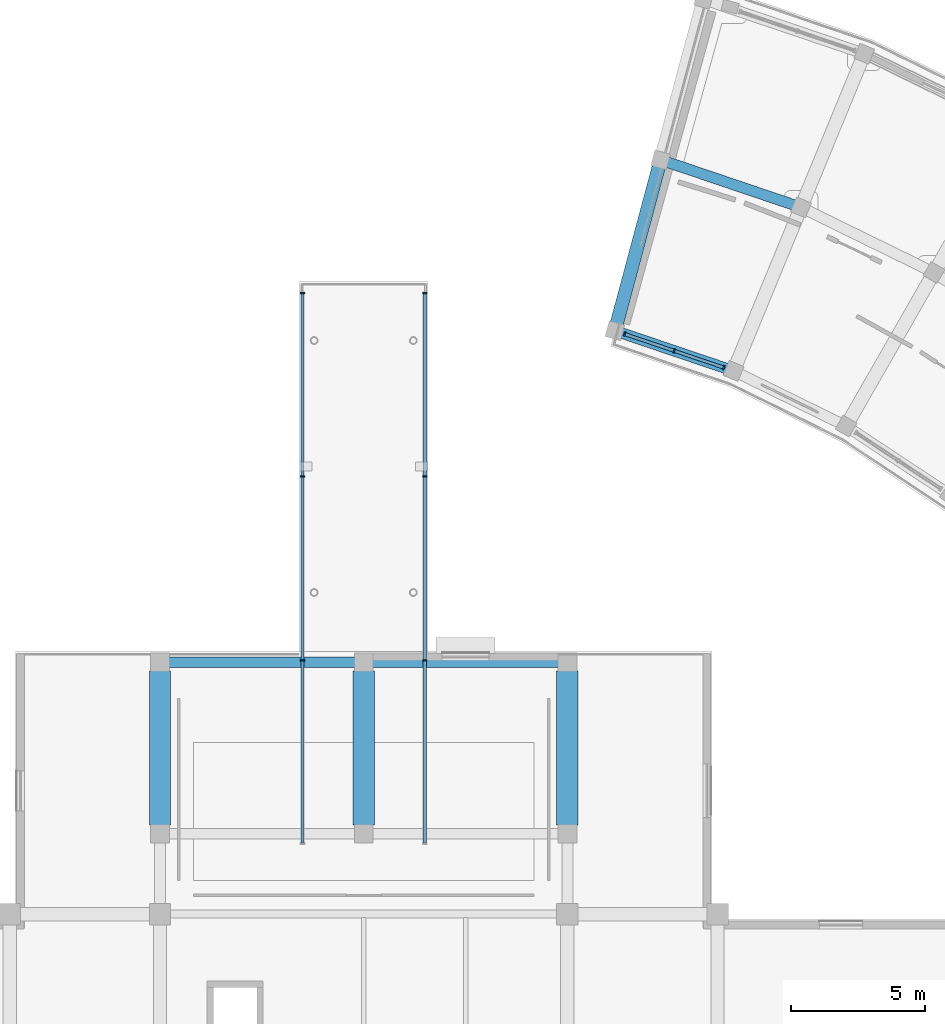
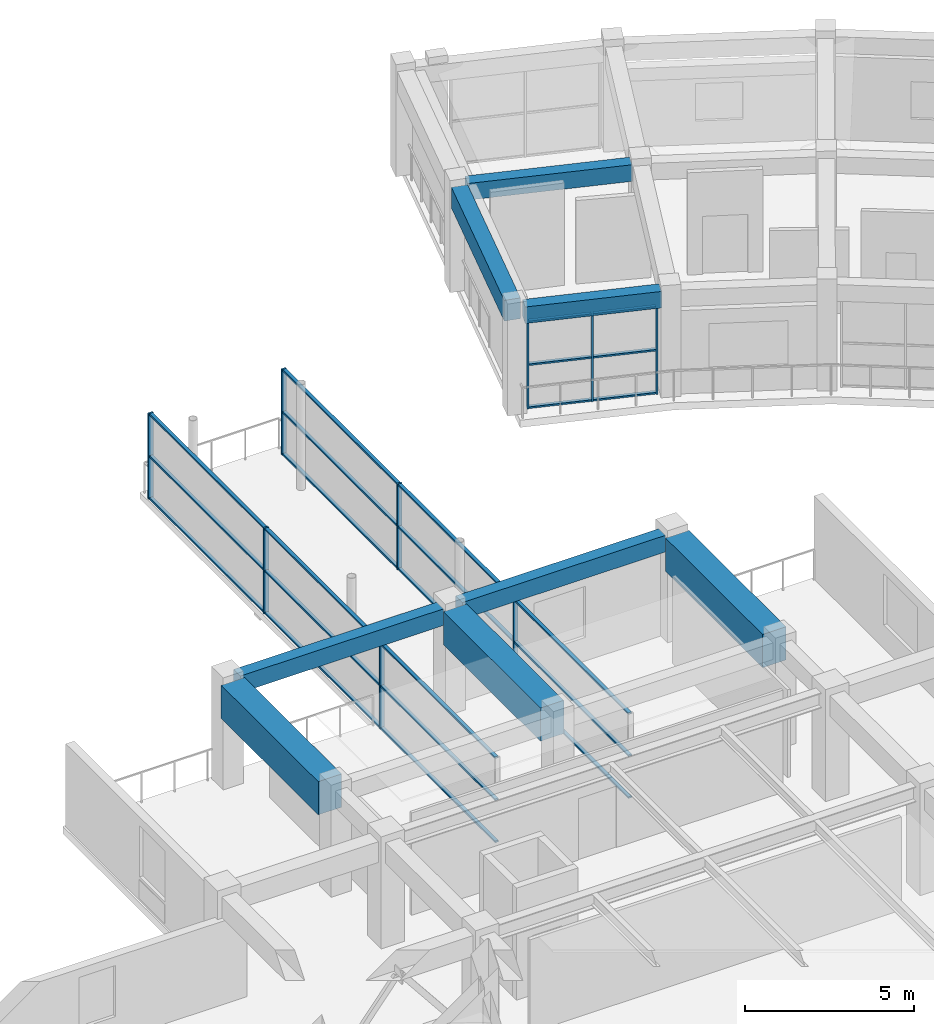
# One storey, part 31 of 70: 33 members, 8 beams, 3 elements without a shape of their own.
"""IFC4 building model written with IfcOpenShell, lengths in metres."""

from ifc_helpers import new_model, si_unit, direction, frame, origin, origin_2d, place, context, subcontext, project, spatial, rectangle, extrude, material, material_profile, profile_set, type_object, element, aggregate, save


model = new_model("IFC4")

# Units and contexts
model_context = context("Model", 3, precision=1e-05, world=origin(), true_north=direction((0.0, 1.0)))
body_context = subcontext(model_context, "Body", "Model", "MODEL_VIEW")
ifc_project = project(units=[si_unit("LENGTHUNIT", "METRE"), si_unit("AREAUNIT", "SQUARE_METRE"), si_unit("VOLUMEUNIT", "CUBIC_METRE"), si_unit("PLANEANGLEUNIT", "RADIAN"), si_unit("MASSUNIT", "GRAM", prefix="KILO")], contexts=[model_context])

# Site, building, storey
site_placement = place(None, origin())
site = spatial("IfcSite", under=ifc_project, at=site_placement, CompositionType="ELEMENT")
building_placement = place(site_placement, origin())
building = spatial("IfcBuilding", under=site, at=building_placement, Name="Saryqyr Civic Hall", CompositionType="ELEMENT")
storey_placement = place(building_placement, frame((0.0, 0.0, 13.199951171875)))
storey = spatial("IfcBuildingStorey", under=building, at=storey_placement, Name="L03", CompositionType="ELEMENT", Elevation=13.199951171875)

# Curtain wall, members
ifc_material_1 = material(Name="Anodised aluminium and triple low-E glass", Category="aluminium")
curtain_wall_type_1 = type_object("IfcCurtainWallType", Name="ENV-CW-STD-21", PredefinedType="NOTDEFINED", material=ifc_material_1)
curtain_wall_1_placement = place(storey_placement, origin())
curtain_wall_1 = element("IfcCurtainWall", 1, at=curtain_wall_1_placement, inside=storey, type_object=curtain_wall_type_1, Name="Curtain wall V6-CWI-L03-09", PredefinedType="NOTDEFINED")
ifc_material_2 = material(Name="Anodised aluminium", Category="aluminium")
ifc_material_profile_1 = material_profile(ifc_material_2, rectangle(XDim=0.06005859375, YDim=0.159912109375, at=origin_2d()), Name="ALU MULLION 60x160")
ifc_profile_set_1 = profile_set([ifc_material_profile_1], Name="Anodised aluminium")
member_type_1 = type_object("IfcMemberType", Name="ENV-CW-MUL-180", PredefinedType="MULLION", material=ifc_profile_set_1)
member_1_placement = place(storey_placement, frame((70.42919921875, 117.592041015625, 0.0), z_axis=(0.0, 0.0, 1.0), x_axis=(-0.947202392558, 0.320636285428, 0.0)))
member_1 = element("IfcMember", 2, at=member_1_placement, type_object=member_type_1, Name="CW-21 mullion 1", PredefinedType="MULLION", context=body_context, shape_type="SweptSolid", body=[
    extrude(rectangle(XDim=0.06005859375, YDim=0.159912109375, at=origin_2d()), origin(), (0.0, 0.0, 1.0), 3.1650390625),
])
member_2_placement = place(storey_placement, frame((68.58349609375, 118.217041015625, 0.0), z_axis=(0.0, 0.0, 1.0), x_axis=(-0.947202392558, 0.320636285428, 0.0)))
member_2 = element("IfcMember", 3, at=member_2_placement, type_object=member_type_1, Name="CW-21 mullion 2", PredefinedType="MULLION", context=body_context, shape_type="SweptSolid", body=[
    extrude(rectangle(XDim=0.06005859375, YDim=0.159912109375, at=origin_2d()), origin(), (0.0, 0.0, 1.0), 3.1650390625),
])
member_3_placement = place(storey_placement, frame((66.737548828125, 118.841796875, 0.0), z_axis=(0.0, 0.0, 1.0), x_axis=(-0.947202392558, 0.320636285428, 0.0)))
member_3 = element("IfcMember", 4, at=member_3_placement, type_object=member_type_1, Name="CW-21 mullion 3", PredefinedType="MULLION", context=body_context, shape_type="SweptSolid", body=[
    extrude(rectangle(XDim=0.06005859375, YDim=0.159912109375, at=origin_2d()), origin(), (0.0, 0.0, 1.0), 3.1650390625),
])

curtain_wall_type_2 = type_object("IfcCurtainWallType", Name="ENV-CW-STD-88", PredefinedType="NOTDEFINED", material=ifc_material_1)
curtain_wall_2_placement = place(storey_placement, origin())
curtain_wall_2 = element("IfcCurtainWall", 5, at=curtain_wall_2_placement, inside=storey, type_object=curtain_wall_type_2, Name="Curtain wall BR-CN-CW1-L03", PredefinedType="NOTDEFINED")
member_4_placement = place(storey_placement, frame((54.719970703125, 106.666748046875, 0.0), z_axis=(0.0, 0.0, 1.0), x_axis=(0.0, 1.0, 0.0)))
member_4 = element("IfcMember", 6, at=member_4_placement, type_object=member_type_1, Name="CW-88 mullion 2", PredefinedType="MULLION", context=body_context, shape_type="SweptSolid", body=[
    extrude(rectangle(XDim=0.06005859375, YDim=0.159912109375, at=origin_2d()), origin(), (0.0, 0.0, 1.0), 3.10009765625),
])
member_5_placement = place(storey_placement, frame((54.719970703125, 113.533447265625, 0.0), z_axis=(0.0, 0.0, 1.0), x_axis=(0.0, 1.0, 0.0)))
member_5 = element("IfcMember", 7, at=member_5_placement, type_object=member_type_1, Name="CW-88 mullion 3", PredefinedType="MULLION", context=body_context, shape_type="SweptSolid", body=[
    extrude(rectangle(XDim=0.06005859375, YDim=0.159912109375, at=origin_2d()), origin(), (0.0, 0.0, 1.0), 3.10009765625),
])
member_6_placement = place(storey_placement, frame((54.719970703125, 120.3701171875, 0.0), z_axis=(0.0, 0.0, 1.0), x_axis=(0.0, 1.0, 0.0)))
member_6 = element("IfcMember", 8, at=member_6_placement, type_object=member_type_1, Name="CW-88 mullion 4", PredefinedType="MULLION", context=body_context, shape_type="SweptSolid", body=[
    extrude(rectangle(XDim=0.06005859375, YDim=0.159912109375, at=origin_2d()), origin(), (0.0, 0.0, 1.0), 3.10009765625),
])

curtain_wall_3_placement = place(storey_placement, origin())
curtain_wall_3 = element("IfcCurtainWall", 9, at=curtain_wall_3_placement, inside=storey, type_object=curtain_wall_type_2, Name="Curtain wall BR-CN-CW2-L03", PredefinedType="NOTDEFINED")
member_7_placement = place(storey_placement, frame((59.280029296875, 120.3701171875, 0.0), z_axis=(0.0, 0.0, 1.0), x_axis=(0.0, -1.0, 0.0)))
member_7 = element("IfcMember", 10, at=member_7_placement, type_object=member_type_1, Name="CW-88 mullion 1", PredefinedType="MULLION", context=body_context, shape_type="SweptSolid", body=[
    extrude(rectangle(XDim=0.06005859375, YDim=0.159912109375, at=origin_2d()), origin(), (0.0, 0.0, 1.0), 3.10009765625),
])
member_8_placement = place(storey_placement, frame((59.280029296875, 113.533447265625, 0.0), z_axis=(0.0, 0.0, 1.0), x_axis=(0.0, -1.0, 0.0)))
member_8 = element("IfcMember", 11, at=member_8_placement, type_object=member_type_1, Name="CW-88 mullion 2", PredefinedType="MULLION", context=body_context, shape_type="SweptSolid", body=[
    extrude(rectangle(XDim=0.06005859375, YDim=0.159912109375, at=origin_2d()), origin(), (0.0, 0.0, 1.0), 3.10009765625),
])
member_9_placement = place(storey_placement, frame((59.280029296875, 106.666748046875, 0.0), z_axis=(0.0, 0.0, 1.0), x_axis=(0.0, -1.0, 0.0)))
member_9 = element("IfcMember", 12, at=member_9_placement, type_object=member_type_1, Name="CW-88 mullion 3", PredefinedType="MULLION", context=body_context, shape_type="SweptSolid", body=[
    extrude(rectangle(XDim=0.06005859375, YDim=0.159912109375, at=origin_2d()), origin(), (0.0, 0.0, 1.0), 3.10009765625),
])

# Member
ifc_material_profile_2 = material_profile(ifc_material_2, rectangle(XDim=0.1201171875, YDim=0.06005859375, at=origin_2d()), Name="ALU TRANSOM 120x60")
ifc_profile_set_2 = profile_set([ifc_material_profile_2], Name="Anodised aluminium")
member_type_2 = type_object("IfcMemberType", Name="ENV-CW-TRN-150", PredefinedType="USERDEFINED", material=ifc_profile_set_2)
member_10_placement = place(storey_placement, frame((70.40087890625, 117.601806640625, 0.030029296875), z_axis=(-0.947225631474, 0.320567626372, 0.0), x_axis=(-0.320567626372, -0.947225631474, 0.0)))
member_10 = element("IfcMember", 13, at=member_10_placement, type_object=member_type_2, Name="CW-21 transom 1.1", ObjectType="TRANSOM", PredefinedType="USERDEFINED", context=body_context, shape_type="SweptSolid", body=[
    extrude(rectangle(XDim=0.1201171875, YDim=0.06005859375, at=origin_2d()), origin(), (0.0, 0.0, 1.0), 1.888671875),
])

member_11_placement = place(storey_placement, frame((70.40087890625, 117.601806640625, 1.58203125), z_axis=(-0.947225631474, 0.320567626372, 0.0), x_axis=(-0.320567626372, -0.947225631474, 0.0)))
member_11 = element("IfcMember", 14, at=member_11_placement, type_object=member_type_2, Name="CW-21 transom 1.2", ObjectType="TRANSOM", PredefinedType="USERDEFINED", context=body_context, shape_type="SweptSolid", body=[
    extrude(rectangle(XDim=0.1201171875, YDim=0.06005859375, at=origin_2d()), origin(), (0.0, 0.0, 1.0), 1.888671875),
])

member_12_placement = place(storey_placement, frame((70.40087890625, 117.601806640625, 3.135009765625), z_axis=(-0.947225631474, 0.320567626372, 0.0), x_axis=(-0.320567626372, -0.947225631474, 0.0)))
member_12 = element("IfcMember", 15, at=member_12_placement, type_object=member_type_2, Name="CW-21 transom 1.3", ObjectType="TRANSOM", PredefinedType="USERDEFINED", context=body_context, shape_type="SweptSolid", body=[
    extrude(rectangle(XDim=0.1201171875, YDim=0.06005859375, at=origin_2d()), origin(), (0.0, 0.0, 1.0), 1.888671875),
])

member_13_placement = place(storey_placement, frame((68.554931640625, 118.2265625, 0.030029296875), z_axis=(-0.947173081029, 0.320722862568, 0.0), x_axis=(-0.320722862568, -0.947173081029, 0.0)))
member_13 = element("IfcMember", 16, at=member_13_placement, type_object=member_type_2, Name="CW-21 transom 2.1", ObjectType="TRANSOM", PredefinedType="USERDEFINED", context=body_context, shape_type="SweptSolid", body=[
    extrude(rectangle(XDim=0.1201171875, YDim=0.06005859375, at=origin_2d()), origin(), (0.0, 0.0, 1.0), 1.888671875),
])

member_14_placement = place(storey_placement, frame((68.554931640625, 118.2265625, 1.58203125), z_axis=(-0.947173081029, 0.320722862568, 0.0), x_axis=(-0.320722862568, -0.947173081029, 0.0)))
member_14 = element("IfcMember", 17, at=member_14_placement, type_object=member_type_2, Name="CW-21 transom 2.2", ObjectType="TRANSOM", PredefinedType="USERDEFINED", context=body_context, shape_type="SweptSolid", body=[
    extrude(rectangle(XDim=0.1201171875, YDim=0.06005859375, at=origin_2d()), origin(), (0.0, 0.0, 1.0), 1.888671875),
])

member_15_placement = place(storey_placement, frame((68.554931640625, 118.2265625, 3.135009765625), z_axis=(-0.947173081029, 0.320722862568, 0.0), x_axis=(-0.320722862568, -0.947173081029, 0.0)))
member_15 = element("IfcMember", 18, at=member_15_placement, type_object=member_type_2, Name="CW-21 transom 2.3", ObjectType="TRANSOM", PredefinedType="USERDEFINED", context=body_context, shape_type="SweptSolid", body=[
    extrude(rectangle(XDim=0.1201171875, YDim=0.06005859375, at=origin_2d()), origin(), (0.0, 0.0, 1.0), 1.888671875),
])

aggregate(curtain_wall_1, [member_1, member_2, member_3, member_10, member_11, member_12, member_13, member_14, member_15])

member_16_placement = place(storey_placement, frame((54.719970703125, 99.860107421875, 0.030029296875), z_axis=(0.0, 1.0, 0.0), x_axis=(-1.0, 0.0, 0.0)))
member_16 = element("IfcMember", 19, at=member_16_placement, type_object=member_type_2, Name="CW-88 transom 1.1", ObjectType="TRANSOM", PredefinedType="USERDEFINED", context=body_context, shape_type="SweptSolid", body=[
    extrude(rectangle(XDim=0.1201171875, YDim=0.06005859375, at=origin_2d()), origin(), (0.0, 0.0, 1.0), 6.776611328125),
])

member_17_placement = place(storey_placement, frame((54.719970703125, 99.860107421875, 1.550048828125), z_axis=(0.0, 1.0, 0.0), x_axis=(-1.0, 0.0, 0.0)))
member_17 = element("IfcMember", 20, at=member_17_placement, type_object=member_type_2, Name="CW-88 transom 1.2", ObjectType="TRANSOM", PredefinedType="USERDEFINED", context=body_context, shape_type="SweptSolid", body=[
    extrude(rectangle(XDim=0.1201171875, YDim=0.06005859375, at=origin_2d()), origin(), (0.0, 0.0, 1.0), 6.776611328125),
])

member_18_placement = place(storey_placement, frame((54.719970703125, 99.860107421875, 3.070068359375), z_axis=(0.0, 1.0, 0.0), x_axis=(-1.0, 0.0, 0.0)))
member_18 = element("IfcMember", 21, at=member_18_placement, type_object=member_type_2, Name="CW-88 transom 1.3", ObjectType="TRANSOM", PredefinedType="USERDEFINED", context=body_context, shape_type="SweptSolid", body=[
    extrude(rectangle(XDim=0.1201171875, YDim=0.06005859375, at=origin_2d()), origin(), (0.0, 0.0, 1.0), 6.776611328125),
])

member_19_placement = place(storey_placement, frame((54.719970703125, 106.69677734375, 0.030029296875), z_axis=(0.0, 1.0, 0.0), x_axis=(-1.0, 0.0, 0.0)))
member_19 = element("IfcMember", 22, at=member_19_placement, type_object=member_type_2, Name="CW-88 transom 2.1", ObjectType="TRANSOM", PredefinedType="USERDEFINED", context=body_context, shape_type="SweptSolid", body=[
    extrude(rectangle(XDim=0.1201171875, YDim=0.06005859375, at=origin_2d()), origin(), (0.0, 0.0, 1.0), 6.806640625),
])

member_20_placement = place(storey_placement, frame((54.719970703125, 106.69677734375, 1.550048828125), z_axis=(0.0, 1.0, 0.0), x_axis=(-1.0, 0.0, 0.0)))
member_20 = element("IfcMember", 23, at=member_20_placement, type_object=member_type_2, Name="CW-88 transom 2.2", ObjectType="TRANSOM", PredefinedType="USERDEFINED", context=body_context, shape_type="SweptSolid", body=[
    extrude(rectangle(XDim=0.1201171875, YDim=0.06005859375, at=origin_2d()), origin(), (0.0, 0.0, 1.0), 6.806640625),
])

member_21_placement = place(storey_placement, frame((54.719970703125, 106.69677734375, 3.070068359375), z_axis=(0.0, 1.0, 0.0), x_axis=(-1.0, 0.0, 0.0)))
member_21 = element("IfcMember", 24, at=member_21_placement, type_object=member_type_2, Name="CW-88 transom 2.3", ObjectType="TRANSOM", PredefinedType="USERDEFINED", context=body_context, shape_type="SweptSolid", body=[
    extrude(rectangle(XDim=0.1201171875, YDim=0.06005859375, at=origin_2d()), origin(), (0.0, 0.0, 1.0), 6.806640625),
])

member_22_placement = place(storey_placement, frame((54.719970703125, 113.563232421875, 0.030029296875), z_axis=(0.0, 1.0, 0.0), x_axis=(-1.0, 0.0, 0.0)))
member_22 = element("IfcMember", 25, at=member_22_placement, type_object=member_type_2, Name="CW-88 transom 3.1", ObjectType="TRANSOM", PredefinedType="USERDEFINED", context=body_context, shape_type="SweptSolid", body=[
    extrude(rectangle(XDim=0.1201171875, YDim=0.06005859375, at=origin_2d()), origin(), (0.0, 0.0, 1.0), 6.77685546875),
])

member_23_placement = place(storey_placement, frame((54.719970703125, 113.563232421875, 1.550048828125), z_axis=(0.0, 1.0, 0.0), x_axis=(-1.0, 0.0, 0.0)))
member_23 = element("IfcMember", 26, at=member_23_placement, type_object=member_type_2, Name="CW-88 transom 3.2", ObjectType="TRANSOM", PredefinedType="USERDEFINED", context=body_context, shape_type="SweptSolid", body=[
    extrude(rectangle(XDim=0.1201171875, YDim=0.06005859375, at=origin_2d()), origin(), (0.0, 0.0, 1.0), 6.77685546875),
])

member_24_placement = place(storey_placement, frame((54.719970703125, 113.563232421875, 3.070068359375), z_axis=(0.0, 1.0, 0.0), x_axis=(-1.0, 0.0, 0.0)))
member_24 = element("IfcMember", 27, at=member_24_placement, type_object=member_type_2, Name="CW-88 transom 3.3", ObjectType="TRANSOM", PredefinedType="USERDEFINED", context=body_context, shape_type="SweptSolid", body=[
    extrude(rectangle(XDim=0.1201171875, YDim=0.06005859375, at=origin_2d()), origin(), (0.0, 0.0, 1.0), 6.77685546875),
])

aggregate(curtain_wall_2, [member_4, member_5, member_6, member_16, member_17, member_18, member_19, member_20, member_21, member_22, member_23, member_24])

member_25_placement = place(storey_placement, frame((59.280029296875, 120.340087890625, 0.030029296875), z_axis=(0.0, -1.0, 0.0), x_axis=(1.0, 0.0, 0.0)))
member_25 = element("IfcMember", 28, at=member_25_placement, type_object=member_type_2, Name="CW-88 transom 1.1", ObjectType="TRANSOM", PredefinedType="USERDEFINED", context=body_context, shape_type="SweptSolid", body=[
    extrude(rectangle(XDim=0.1201171875, YDim=0.06005859375, at=origin_2d()), origin(), (0.0, 0.0, 1.0), 6.77685546875),
])

member_26_placement = place(storey_placement, frame((59.280029296875, 120.340087890625, 1.550048828125), z_axis=(0.0, -1.0, 0.0), x_axis=(1.0, 0.0, 0.0)))
member_26 = element("IfcMember", 29, at=member_26_placement, type_object=member_type_2, Name="CW-88 transom 1.2", ObjectType="TRANSOM", PredefinedType="USERDEFINED", context=body_context, shape_type="SweptSolid", body=[
    extrude(rectangle(XDim=0.1201171875, YDim=0.06005859375, at=origin_2d()), origin(), (0.0, 0.0, 1.0), 6.77685546875),
])

member_27_placement = place(storey_placement, frame((59.280029296875, 120.340087890625, 3.070068359375), z_axis=(0.0, -1.0, 0.0), x_axis=(1.0, 0.0, 0.0)))
member_27 = element("IfcMember", 30, at=member_27_placement, type_object=member_type_2, Name="CW-88 transom 1.3", ObjectType="TRANSOM", PredefinedType="USERDEFINED", context=body_context, shape_type="SweptSolid", body=[
    extrude(rectangle(XDim=0.1201171875, YDim=0.06005859375, at=origin_2d()), origin(), (0.0, 0.0, 1.0), 6.77685546875),
])

member_28_placement = place(storey_placement, frame((59.280029296875, 113.50341796875, 0.030029296875), z_axis=(0.0, -1.0, 0.0), x_axis=(1.0, 0.0, 0.0)))
member_28 = element("IfcMember", 31, at=member_28_placement, type_object=member_type_2, Name="CW-88 transom 2.1", ObjectType="TRANSOM", PredefinedType="USERDEFINED", context=body_context, shape_type="SweptSolid", body=[
    extrude(rectangle(XDim=0.1201171875, YDim=0.06005859375, at=origin_2d()), origin(), (0.0, 0.0, 1.0), 6.806640625),
])

member_29_placement = place(storey_placement, frame((59.280029296875, 113.50341796875, 1.550048828125), z_axis=(0.0, -1.0, 0.0), x_axis=(1.0, 0.0, 0.0)))
member_29 = element("IfcMember", 32, at=member_29_placement, type_object=member_type_2, Name="CW-88 transom 2.2", ObjectType="TRANSOM", PredefinedType="USERDEFINED", context=body_context, shape_type="SweptSolid", body=[
    extrude(rectangle(XDim=0.1201171875, YDim=0.06005859375, at=origin_2d()), origin(), (0.0, 0.0, 1.0), 6.806640625),
])

member_30_placement = place(storey_placement, frame((59.280029296875, 113.50341796875, 3.070068359375), z_axis=(0.0, -1.0, 0.0), x_axis=(1.0, 0.0, 0.0)))
member_30 = element("IfcMember", 33, at=member_30_placement, type_object=member_type_2, Name="CW-88 transom 2.3", ObjectType="TRANSOM", PredefinedType="USERDEFINED", context=body_context, shape_type="SweptSolid", body=[
    extrude(rectangle(XDim=0.1201171875, YDim=0.06005859375, at=origin_2d()), origin(), (0.0, 0.0, 1.0), 6.806640625),
])

member_31_placement = place(storey_placement, frame((59.280029296875, 106.63671875, 0.030029296875), z_axis=(0.0, -1.0, 0.0), x_axis=(1.0, 0.0, 0.0)))
member_31 = element("IfcMember", 34, at=member_31_placement, type_object=member_type_2, Name="CW-88 transom 3.1", ObjectType="TRANSOM", PredefinedType="USERDEFINED", context=body_context, shape_type="SweptSolid", body=[
    extrude(rectangle(XDim=0.1201171875, YDim=0.06005859375, at=origin_2d()), origin(), (0.0, 0.0, 1.0), 6.776611328125),
])

member_32_placement = place(storey_placement, frame((59.280029296875, 106.63671875, 1.550048828125), z_axis=(0.0, -1.0, 0.0), x_axis=(1.0, 0.0, 0.0)))
member_32 = element("IfcMember", 35, at=member_32_placement, type_object=member_type_2, Name="CW-88 transom 3.2", ObjectType="TRANSOM", PredefinedType="USERDEFINED", context=body_context, shape_type="SweptSolid", body=[
    extrude(rectangle(XDim=0.1201171875, YDim=0.06005859375, at=origin_2d()), origin(), (0.0, 0.0, 1.0), 6.776611328125),
])

member_33_placement = place(storey_placement, frame((59.280029296875, 106.63671875, 3.070068359375), z_axis=(0.0, -1.0, 0.0), x_axis=(1.0, 0.0, 0.0)))
member_33 = element("IfcMember", 36, at=member_33_placement, type_object=member_type_2, Name="CW-88 transom 3.3", ObjectType="TRANSOM", PredefinedType="USERDEFINED", context=body_context, shape_type="SweptSolid", body=[
    extrude(rectangle(XDim=0.1201171875, YDim=0.06005859375, at=origin_2d()), origin(), (0.0, 0.0, 1.0), 6.776611328125),
])

aggregate(curtain_wall_3, [member_7, member_8, member_9, member_25, member_26, member_27, member_28, member_29, member_30, member_31, member_32, member_33])

# Beams
ifc_material_3 = material(Name="Concrete C35/45", Category="concrete")
ifc_material_profile_3 = material_profile(ifc_material_3, rectangle(XDim=0.39990234375, YDim=0.60009765625, at=origin_2d()), Name="RC 400x600")
ifc_profile_set_3 = profile_set([ifc_material_profile_3], Name="Concrete C35/45")
beam_type_1 = type_object("IfcBeamType", Name="STR-BM-RC400x600", PredefinedType="BEAM", material=ifc_profile_set_3)
for number, where, z_axis, x_axis, name in (
    (37, (49.72509765625, 106.60009765625, 3.489990234375), (1.0, 0.0, 0.0), (0.0, 1.0, 0.0), "Beam V1-TBM-07-L03"),
    (38, (57.324951171875, 106.60009765625, 3.489990234375), (1.0, 0.0, 0.0), (0.0, 1.0, 0.0), "Beam V1-TBM-08-L03"),
):
    element("IfcBeam", number, at=place(storey_placement, frame(where, z_axis=z_axis, x_axis=x_axis)), inside=storey, type_object=beam_type_1, Name=name, PredefinedType="BEAM", context=body_context, shape_type="SweptSolid", body=[
        extrude(rectangle(XDim=0.39990234375, YDim=0.60009765625, at=origin_2d()), origin(), (0.0, 0.0, 1.0), 6.949951171875),
    ])
beam_1_placement = place(storey_placement, frame((73.052734375, 123.6572265625, 3.489990234375), z_axis=(-0.947191677807, 0.32066793649, 0.0), x_axis=(-0.32066793649, -0.947191677807, 0.0)))
element("IfcBeam", 39, at=beam_1_placement, inside=storey, type_object=beam_type_1, Name="Beam V6-CBM-MID09-L03", PredefinedType="BEAM", context=body_context, shape_type="SweptSolid", body=[
    extrude(rectangle(XDim=0.39990234375, YDim=0.60009765625, at=origin_2d()), origin(), (0.0, 0.0, 1.0), 4.977783203125),
])
ifc_material_profile_4 = material_profile(ifc_material_3, rectangle(XDim=0.39990234375, YDim=0.60009765625, at=origin_2d()), Name="RC 400x600")
ifc_profile_set_4 = profile_set([ifc_material_profile_4], Name="Concrete C35/45")
beam_type_2 = type_object("IfcBeamType", Name="STR-BM-RC400x600-EXT", PredefinedType="BEAM", material=ifc_profile_set_4)
beam_2_placement = place(storey_placement, frame((70.537109375, 117.5556640625, 3.489990234375), z_axis=(-0.947199378893, 0.320645188057, 0.0), x_axis=(-0.320645188057, -0.947199378893, 0.0)))
element("IfcBeam", 40, at=beam_2_placement, inside=storey, type_object=beam_type_2, Name="Beam V6-CBM-IN09-L03", PredefinedType="BEAM", context=body_context, shape_type="SweptSolid", body=[
    extrude(rectangle(XDim=0.39990234375, YDim=0.60009765625, at=origin_2d()), origin(), (0.0, 0.0, 1.0), 4.125244140625),
])
ifc_material_4 = material(Name="Concrete C40/50", Category="concrete")
ifc_material_profile_5 = material_profile(ifc_material_4, rectangle(XDim=0.5, YDim=0.75, at=origin_2d()), Name="RC 500x750")
ifc_profile_set_5 = profile_set([ifc_material_profile_5], Name="Concrete C40/50")
beam_type_3 = type_object("IfcBeamType", Name="STR-BM-RC500x750", PredefinedType="BEAM", material=ifc_profile_set_5)
beam_3_placement = place(storey_placement, frame((66.4404296875, 119.232177734375, 3.4150390625), z_axis=(0.258832905588, 0.965922112277, 0.0), x_axis=(-0.965922112277, 0.258832905588, 0.0)))
element("IfcBeam", 41, at=beam_3_placement, inside=storey, type_object=beam_type_3, Name="Beam V6-RBM-A10-L03", PredefinedType="BEAM", context=body_context, shape_type="SweptSolid", body=[
    extrude(rectangle(XDim=0.5, YDim=0.75, at=origin_2d()), origin(), (0.0, 0.0, 1.0), 6.0498046875),
])
ifc_material_profile_6 = material_profile(ifc_material_4, rectangle(XDim=0.800048828125, YDim=1.199951171875, at=origin_2d()), Name="RC 800x1200")
ifc_profile_set_6 = profile_set([ifc_material_profile_6], Name="Concrete C40/50")
beam_type_4 = type_object("IfcBeamType", Name="STR-TG-RC800x1200", PredefinedType="USERDEFINED", material=ifc_profile_set_6)
for number, where, z_axis, x_axis, name in (
    (42, (49.39990234375, 100.52490234375, 3.18994140625), (0.0, 1.0, 0.0), (-1.0, 0.0, 0.0), "Beam V1-TG-N1-L03"),
    (43, (57.0, 100.52490234375, 3.18994140625), (0.0, 1.0, 0.0), (-1.0, 0.0, 0.0), "Beam V1-TG-N2-L03"),
    (44, (64.60009765625, 100.52490234375, 3.18994140625), (0.0, 1.0, 0.0), (-1.0, 0.0, 0.0), "Beam V1-TG-N3-L03"),
):
    element("IfcBeam", number, at=place(storey_placement, frame(where, z_axis=z_axis, x_axis=x_axis)), inside=storey, type_object=beam_type_4, Name=name, ObjectType="TRANSFER_GIRDER", PredefinedType="USERDEFINED", context=body_context, shape_type="SweptSolid", body=[
        extrude(rectangle(XDim=0.800048828125, YDim=1.199951171875, at=origin_2d()), origin(), (0.0, 0.0, 1.0), 5.75),
    ])

save(model, "model.ifc")
